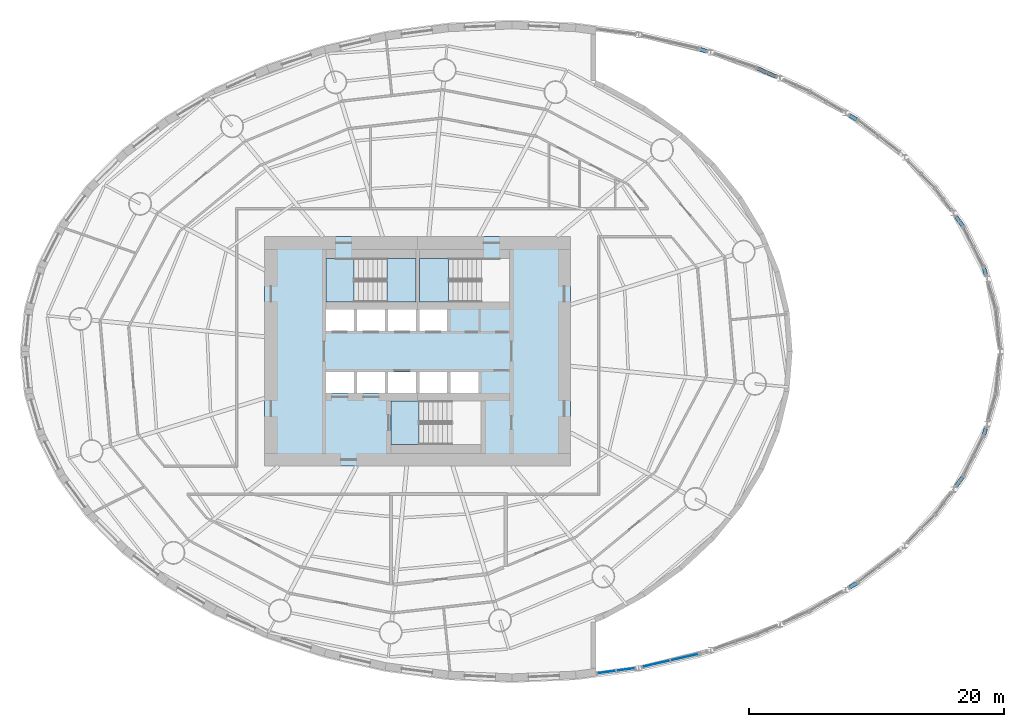
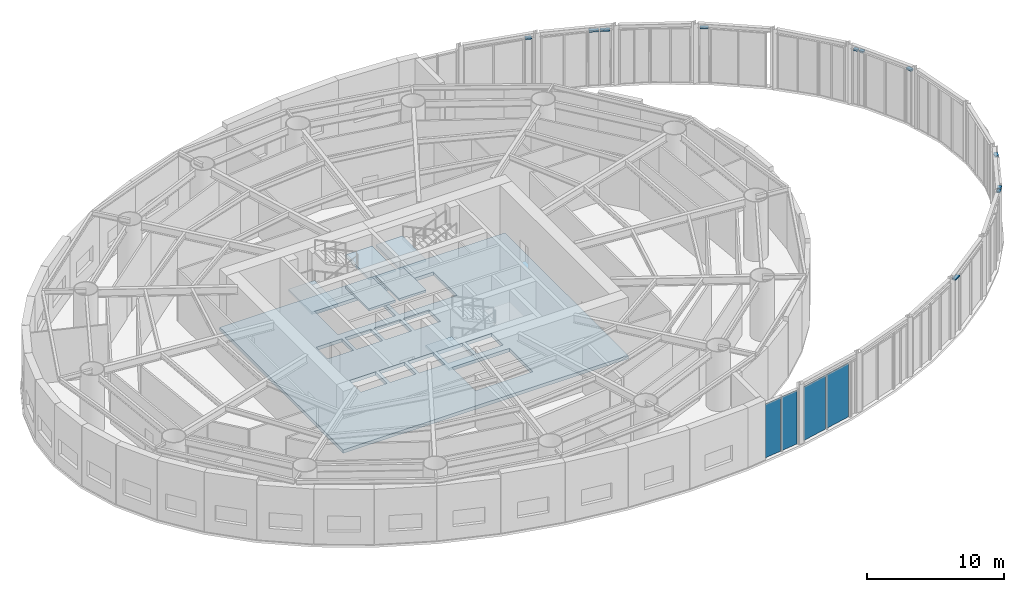
# One storey, part 9 of 19: 11 members, 7 slabs, 4 plates, 13 elements without a shape of their own.
"""IFC4 building model written with IfcOpenShell, lengths in metres."""

from ifc_helpers import new_model, si_unit, direction, frame, origin, origin_2d, place, context, subcontext, project, spatial, polyline, rectangle, outline, extrude, material, layer, layer_set, material_profile, profile_set, type_object, element, aggregate, save


model = new_model("IFC4")

# Units and contexts
model_context = context("Model", 3, precision=1e-05, world=origin(), true_north=direction((0.0, 1.0)))
body_context = subcontext(model_context, "Body", "Model", "MODEL_VIEW")
ifc_project = project(units=[si_unit("LENGTHUNIT", "METRE"), si_unit("AREAUNIT", "SQUARE_METRE"), si_unit("VOLUMEUNIT", "CUBIC_METRE"), si_unit("PLANEANGLEUNIT", "RADIAN"), si_unit("MASSUNIT", "GRAM", prefix="KILO")], contexts=[model_context])

# Site, building, storey
site_placement = place(None, origin())
site = spatial("IfcSite", under=ifc_project, at=site_placement, CompositionType="ELEMENT")
building_placement = place(site_placement, origin())
building = spatial("IfcBuilding", under=site, at=building_placement, Name="Vermilion Reach Broadcast Tower", CompositionType="ELEMENT")
storey_placement = place(building_placement, frame((0.0, 0.0, 26.0)))
storey = spatial("IfcBuildingStorey", under=building, at=storey_placement, Name="L03", CompositionType="ELEMENT", Elevation=26.0)

# Curtain wall, member
ifc_material_1 = material(Name="Low-e laminated clear glass in aluminium frame", Category="aluminium")
curtain_wall_type = type_object("IfcCurtainWallType", Name="Atrium outer wall curtain wall", PredefinedType="NOTDEFINED", material=ifc_material_1)
placement_1 = place(storey_placement, origin())
curtain_wall_1 = element("IfcCurtainWall", 1, at=placement_1, inside=storey, type_object=curtain_wall_type, Name="Atrium wall L03 05-2", PredefinedType="NOTDEFINED")
ifc_material_2 = material(Name="Anodised aluminium", Category="aluminium")
ifc_material_profile = material_profile(ifc_material_2, rectangle(XDim=0.300048828125, YDim=0.1201171875, at=origin_2d()), Name="Atrium outer wall transom 300 x 120")
ifc_profile_set = profile_set([ifc_material_profile], Name="Anodised aluminium")
member_type = type_object("IfcMemberType", Name="Atrium outer wall transom 300 x 120", PredefinedType="USERDEFINED", material=ifc_profile_set)
member_1_placement = place(storey_placement, frame((27.892822265625, -18.5107421875, 4.85009765625), z_axis=(0.860857815455, 0.508845577331, 0.0), x_axis=(-0.508845577331, 0.860857815455, 0.0)))
member_1 = element("IfcMember", 2, at=member_1_placement, type_object=member_type, Name="Atrium wall transom L03 05-2.1.2", ObjectType="TRANSOM", PredefinedType="USERDEFINED", context=body_context, shape_type="SweptSolid", body=[
    extrude(rectangle(XDim=0.300048828125, YDim=0.1201171875, at=origin_2d()), origin(), (0.0, 0.0, 1.0), 0.63671875),
])
aggregate(curtain_wall_1, [member_1])

# Curtain wall, members
curtain_wall_2 = element("IfcCurtainWall", 3, at=placement_1, inside=storey, type_object=curtain_wall_type, Name="Atrium wall L03 08-2", PredefinedType="NOTDEFINED")
member_2_placement = place(storey_placement, frame((36.255126953125, -10.5458984375, 4.85009765625), z_axis=(0.590584029438, 0.806976148454, 0.0), x_axis=(-0.806976148454, 0.590584029438, 0.0)))
member_2 = element("IfcMember", 4, at=member_2_placement, type_object=member_type, Name="Atrium wall transom L03 08-2.1.2", ObjectType="TRANSOM", PredefinedType="USERDEFINED", context=body_context, shape_type="SweptSolid", body=[
    extrude(rectangle(XDim=0.300048828125, YDim=0.1201171875, at=origin_2d()), origin(), (0.0, 0.0, 1.0), 0.36669921875),
])
member_3_placement = place(storey_placement, frame((36.53076171875, -10.169189453125, 4.85009765625), z_axis=(0.59101736398, 0.806658834622, 0.0), x_axis=(-0.806658834622, 0.59101736398, 0.0)))
member_3 = element("IfcMember", 5, at=member_3_placement, type_object=member_type, Name="Atrium wall transom L03 08-2.2.2", ObjectType="TRANSOM", PredefinedType="USERDEFINED", context=body_context, shape_type="SweptSolid", body=[
    extrude(rectangle(XDim=0.300048828125, YDim=0.1201171875, at=origin_2d()), origin(), (0.0, 0.0, 1.0), 0.36669921875),
])
aggregate(curtain_wall_2, [member_2, member_3])

# Curtain wall, member
curtain_wall_3 = element("IfcCurtainWall", 6, at=placement_1, inside=storey, type_object=curtain_wall_type, Name="Atrium wall L03 10-1", PredefinedType="NOTDEFINED")
member_4_placement = place(storey_placement, frame((38.434814453125, -6.5224609375, 4.85009765625), z_axis=(0.283208468401, 0.959058373315, 0.0), x_axis=(-0.959058373315, 0.283208468401, 0.0)))
member_4 = element("IfcMember", 7, at=member_4_placement, type_object=member_type, Name="Atrium wall transom L03 10-1.1.2", ObjectType="TRANSOM", PredefinedType="USERDEFINED", context=body_context, shape_type="SweptSolid", body=[
    extrude(rectangle(XDim=0.300048828125, YDim=0.1201171875, at=origin_2d()), origin(), (0.0, 0.0, 1.0), 0.48193359375),
])
aggregate(curtain_wall_3, [member_4])

curtain_wall_4 = element("IfcCurtainWall", 8, at=placement_1, inside=storey, type_object=curtain_wall_type, Name="Atrium wall L03 13-2", PredefinedType="NOTDEFINED")
member_5_placement = place(storey_placement, frame((38.5712890625, 6.060302734375, 4.85009765625), z_axis=(-0.283208468401, 0.959058373315, 0.0), x_axis=(-0.959058373315, -0.283208468401, 0.0)))
member_5 = element("IfcMember", 9, at=member_5_placement, type_object=member_type, Name="Atrium wall transom L03 13-2.1.2", ObjectType="TRANSOM", PredefinedType="USERDEFINED", context=body_context, shape_type="SweptSolid", body=[
    extrude(rectangle(XDim=0.300048828125, YDim=0.1201171875, at=origin_2d()), origin(), (0.0, 0.0, 1.0), 0.48193359375),
])
aggregate(curtain_wall_4, [member_5])

# Curtain wall, members
curtain_wall_5 = element("IfcCurtainWall", 10, at=placement_1, inside=storey, type_object=curtain_wall_type, Name="Atrium wall L03 15-1", PredefinedType="NOTDEFINED")
member_6_placement = place(storey_placement, frame((36.74755859375, 9.873291015625, 4.85009765625), z_axis=(-0.59101736398, 0.806658834622, 0.0), x_axis=(-0.806658834622, -0.59101736398, 0.0)))
member_6 = element("IfcMember", 11, at=member_6_placement, type_object=member_type, Name="Atrium wall transom L03 15-1.1.2", ObjectType="TRANSOM", PredefinedType="USERDEFINED", context=body_context, shape_type="SweptSolid", body=[
    extrude(rectangle(XDim=0.300048828125, YDim=0.1201171875, at=origin_2d()), origin(), (0.0, 0.0, 1.0), 0.36669921875),
])
member_7_placement = place(storey_placement, frame((36.4716796875, 10.25, 4.85009765625), z_axis=(-0.590584029438, 0.806976148454, 0.0), x_axis=(-0.806976148454, -0.590584029438, 0.0)))
member_7 = element("IfcMember", 12, at=member_7_placement, type_object=member_type, Name="Atrium wall transom L03 15-1.2.2", ObjectType="TRANSOM", PredefinedType="USERDEFINED", context=body_context, shape_type="SweptSolid", body=[
    extrude(rectangle(XDim=0.300048828125, YDim=0.1201171875, at=origin_2d()), origin(), (0.0, 0.0, 1.0), 0.36669921875),
])
aggregate(curtain_wall_5, [member_6, member_7])

# Curtain wall, member
curtain_wall_6 = element("IfcCurtainWall", 13, at=placement_1, inside=storey, type_object=curtain_wall_type, Name="Atrium wall L03 18-1", PredefinedType="NOTDEFINED")
member_8_placement = place(storey_placement, frame((28.44091796875, 18.186767578125, 4.85009765625), z_axis=(-0.860857815455, 0.508845577331, 0.0), x_axis=(-0.508845577331, -0.860857815455, 0.0)))
member_8 = element("IfcMember", 14, at=member_8_placement, type_object=member_type, Name="Atrium wall transom L03 18-1.1.2", ObjectType="TRANSOM", PredefinedType="USERDEFINED", context=body_context, shape_type="SweptSolid", body=[
    extrude(rectangle(XDim=0.300048828125, YDim=0.1201171875, at=origin_2d()), origin(), (0.0, 0.0, 1.0), 0.63671875),
])
aggregate(curtain_wall_6, [member_8])

# Curtain wall, members
curtain_wall_7 = element("IfcCurtainWall", 15, at=placement_1, inside=storey, type_object=curtain_wall_type, Name="Atrium wall L03 19-2", PredefinedType="NOTDEFINED")
member_9_placement = place(storey_placement, frame((22.09033203125, 21.5625, 4.85009765625), z_axis=(-0.911877215452, 0.410463084746, 0.0), x_axis=(-0.410463084746, -0.911877215452, 0.0)))
member_9 = element("IfcMember", 16, at=member_9_placement, type_object=member_type, Name="Atrium wall transom L03 19-2.1.2", ObjectType="TRANSOM", PredefinedType="USERDEFINED", context=body_context, shape_type="SweptSolid", body=[
    extrude(rectangle(XDim=0.300048828125, YDim=0.1201171875, at=origin_2d()), origin(), (0.0, 0.0, 1.0), 0.72216796875),
])
member_10_placement = place(storey_placement, frame((21.3408203125, 21.89990234375, 4.85009765625), z_axis=(-0.911946820137, 0.41030841722, 0.0), x_axis=(-0.41030841722, -0.911946820137, 0.0)))
member_10 = element("IfcMember", 17, at=member_10_placement, type_object=member_type, Name="Atrium wall transom L03 19-2.2.2", ObjectType="TRANSOM", PredefinedType="USERDEFINED", context=body_context, shape_type="SweptSolid", body=[
    extrude(rectangle(XDim=0.300048828125, YDim=0.1201171875, at=origin_2d()), origin(), (0.0, 0.0, 1.0), 0.7216796875),
])
aggregate(curtain_wall_7, [member_9, member_10])

# Curtain wall, member
curtain_wall_8 = element("IfcCurtainWall", 18, at=placement_1, inside=storey, type_object=curtain_wall_type, Name="Atrium wall L03 20-2", PredefinedType="NOTDEFINED")
member_11_placement = place(storey_placement, frame((16.629638671875, 23.552978515625, 4.85009765625), z_axis=(-0.948944103966, 0.315444270113, 0.0), x_axis=(-0.315444270113, -0.948944103966, 0.0)))
member_11 = element("IfcMember", 19, at=member_11_placement, type_object=member_type, Name="Atrium wall transom L03 20-2.1.2", ObjectType="TRANSOM", PredefinedType="USERDEFINED", context=body_context, shape_type="SweptSolid", body=[
    extrude(rectangle(XDim=0.300048828125, YDim=0.1201171875, at=origin_2d()), origin(), (0.0, 0.0, 1.0), 0.467529296875),
])
aggregate(curtain_wall_8, [member_11])

# Curtain wall, plates
curtain_wall_9 = element("IfcCurtainWall", 20, at=placement_1, inside=storey, type_object=curtain_wall_type, Name="Atrium wall L03 01", PredefinedType="NOTDEFINED")
ifc_material_3 = material(Name="Low-e laminated clear glass", Category="glass")
ifc_layer_1 = layer(ifc_material_3, 0.035888671875)
ifc_layer_set_1 = layer_set([ifc_layer_1], Name="Atrium outer wall glass panel")
plate_type = type_object("IfcPlateType", Name="Atrium outer wall glass panel", PredefinedType="CURTAIN_PANEL", material=ifc_layer_set_1)
plate_1_placement = place(storey_placement, frame((8.81591796875, -25.15673828125, 0.0), z_axis=(0.0, 0.0, 1.0), x_axis=(0.991143697753, 0.132793713723, 0.0)))
plate_1 = element("IfcPlate", 21, at=plate_1_placement, type_object=plate_type, Name="Atrium wall glass panel L03 01.1.1", PredefinedType="CURTAIN_PANEL", context=body_context, shape_type="SweptSolid", body=[
    extrude(rectangle(XDim=1.419921875, YDim=0.035888671875, at=origin_2d()), origin(), (0.0, 0.0, 1.0), 4.7900390625),
])
plate_2_placement = place(storey_placement, frame((10.322265625, -24.954833984375, 0.0), z_axis=(0.0, 0.0, 1.0), x_axis=(0.991143697753, 0.132793713723, 0.0)))
plate_2 = element("IfcPlate", 22, at=plate_2_placement, type_object=plate_type, Name="Atrium wall glass panel L03 01.2.1", PredefinedType="CURTAIN_PANEL", context=body_context, shape_type="SweptSolid", body=[
    extrude(rectangle(XDim=1.419921875, YDim=0.035888671875, at=origin_2d()), origin(), (0.0, 0.0, 1.0), 4.7900390625),
])
aggregate(curtain_wall_9, [plate_1, plate_2])

curtain_wall_10 = element("IfcCurtainWall", 23, at=placement_1, inside=storey, type_object=curtain_wall_type, Name="Atrium wall L03 02", PredefinedType="NOTDEFINED")
plate_3_placement = place(storey_placement, frame((12.70654296875, -24.505859375, 0.0), z_axis=(0.0, 0.0, 1.0), x_axis=(0.974843253478, 0.222891523278, 0.0)))
plate_3 = element("IfcPlate", 24, at=plate_3_placement, type_object=plate_type, Name="Atrium wall glass panel L03 02.1.1", PredefinedType="CURTAIN_PANEL", context=body_context, shape_type="SweptSolid", body=[
    extrude(rectangle(XDim=2.18115234375, YDim=0.035888671875, at=origin_2d()), origin(), (0.0, 0.0, 1.0), 4.7900390625),
])
plate_4_placement = place(storey_placement, frame((14.930419921875, -23.997314453125, 0.0), z_axis=(0.0, 0.0, 1.0), x_axis=(0.974843253478, 0.222891523278, 0.0)))
plate_4 = element("IfcPlate", 25, at=plate_4_placement, type_object=plate_type, Name="Atrium wall glass panel L03 02.2.1", PredefinedType="CURTAIN_PANEL", context=body_context, shape_type="SweptSolid", body=[
    extrude(rectangle(XDim=2.18115234375, YDim=0.035888671875, at=origin_2d()), origin(), (0.0, 0.0, 1.0), 4.7900390625),
])
aggregate(curtain_wall_10, [plate_3, plate_4])

# Slab
ifc_material_4 = material(Name="Concrete C40", Category="concrete")
ifc_layer_2 = layer(ifc_material_4, 0.300048828125)
ifc_layer_set_2 = layer_set([ifc_layer_2], Name="Core floor slab 300 mm Concrete C40")
slab_type_1 = type_object("IfcSlabType", Name="Core floor slab 300 mm Concrete C40", PredefinedType="FLOOR", material=ifc_layer_set_2)
slab_1_placement = place(storey_placement, frame((0.0, 0.0, -0.300048828125)))
element("IfcSlab", 26, at=slab_1_placement, inside=storey, type_object=slab_type_1, Name="L03 core floor", PredefinedType="FLOOR", context=body_context, shape_type="SweptSolid", body=[
    extrude(outline(polyline([(-18.0, -9.0), (6.0, -9.0), (6.0, 9.0), (-18.0, 9.0), (-18.0, -9.0)]), holes=[polyline([(-13.199951171875, 1.60009765625), (-11.00830078125, 1.60009765625), (-11.00830078125, 3.280029296875), (-13.199951171875, 3.280029296875), (-13.199951171875, 1.60009765625)]), polyline([(-10.75830078125, 1.60009765625), (-8.566650390625, 1.60009765625), (-8.566650390625, 3.280029296875), (-10.75830078125, 3.280029296875), (-10.75830078125, 1.60009765625)]), polyline([(-8.316650390625, 1.60009765625), (-6.125, 1.60009765625), (-6.125, 3.280029296875), (-8.316650390625, 3.280029296875), (-8.316650390625, 1.60009765625)]), polyline([(-5.875, 1.60009765625), (-3.683349609375, 1.60009765625), (-3.683349609375, 3.280029296875), (-5.875, 3.280029296875), (-5.875, 1.60009765625)]), polyline([(-13.199951171875, -3.280029296875), (-11.00830078125, -3.280029296875), (-11.00830078125, -1.60009765625), (-13.199951171875, -1.60009765625), (-13.199951171875, -3.280029296875)]), polyline([(-10.75830078125, -3.280029296875), (-8.566650390625, -3.280029296875), (-8.566650390625, -1.60009765625), (-10.75830078125, -1.60009765625), (-10.75830078125, -3.280029296875)]), polyline([(-8.316650390625, -3.280029296875), (-6.125, -3.280029296875), (-6.125, -1.60009765625), (-8.316650390625, -1.60009765625), (-8.316650390625, -3.280029296875)]), polyline([(-5.875, -3.280029296875), (-3.683349609375, -3.280029296875), (-3.683349609375, -1.60009765625), (-5.875, -1.60009765625), (-5.875, -3.280029296875)]), polyline([(-3.433349609375, -3.280029296875), (-1.24169921875, -3.280029296875), (-1.24169921875, -1.60009765625), (-3.433349609375, -1.60009765625), (-3.433349609375, -3.280029296875)]), polyline([(-10.999267578125, 3.8798828125), (-6.14990234375, 3.8798828125), (-6.14990234375, 7.300048828125), (-10.999267578125, 7.300048828125), (-10.999267578125, 3.8798828125)]), polyline([(-1.000732421875, 7.300048828125), (-5.85009765625, 7.300048828125), (-5.85009765625, 3.8798828125), (-1.000732421875, 3.8798828125), (-1.000732421875, 7.300048828125)]), polyline([(-5.8994140625, -7.300048828125), (-1.050048828125, -7.300048828125), (-1.050048828125, -3.8798828125), (-5.8994140625, -3.8798828125), (-5.8994140625, -7.300048828125)])]), origin(), (0.0, 0.0, 1.0), 0.300048828125),
])

# Stair, slabs
ifc_material_5 = material(Name="Concrete C40", Category="concrete")
stair_type = type_object("IfcStairType", Name="Exit stair RC 32 risers 172 mm", PredefinedType="HALF_TURN_STAIR", material=ifc_material_5)
stair_1 = element("IfcStair", 27, at=placement_1, inside=storey, type_object=stair_type, Name="L03 Exit stair ST1", PredefinedType="HALF_TURN_STAIR")
ifc_material_6 = material(Name="Concrete C40", Category="concrete")
ifc_layer_3 = layer(ifc_material_6, 0.199951171875)
ifc_layer_set_3 = layer_set([ifc_layer_3], Name="Exit stair landing Concrete C40")
slab_type_2 = type_object("IfcSlabType", Name="Exit stair landing Concrete C40", PredefinedType="LANDING", material=ifc_layer_set_3)
placement_2 = place(storey_placement, frame((0.0, 0.0, 1.175048828125)))
slab_2 = element("IfcSlab", 28, at=placement_2, type_object=slab_type_2, Name="ST1 landing 1", PredefinedType="LANDING", context=body_context, shape_type="SweptSolid", body=[
    extrude(outline(polyline([(-8.409912109375, 3.8798828125), (-6.14990234375, 3.8798828125), (-6.14990234375, 7.300048828125), (-8.409912109375, 7.300048828125), (-8.409912109375, 3.8798828125)])), origin(), (0.0, 0.0, 1.0), 0.199951171875),
])
placement_3 = place(storey_placement, frame((0.0, 0.0, 2.550048828125)))
slab_3 = element("IfcSlab", 29, at=placement_3, type_object=slab_type_2, Name="ST1 landing 2", PredefinedType="LANDING", context=body_context, shape_type="SweptSolid", body=[
    extrude(outline(polyline([(-13.199951171875, 3.8798828125), (-11.0, 3.8798828125), (-11.0, 7.300048828125), (-13.199951171875, 7.300048828125), (-13.199951171875, 3.8798828125)])), origin(), (0.0, 0.0, 1.0), 0.199951171875),
])
placement_4 = place(storey_placement, frame((0.0, 0.0, 3.925048828125)))
slab_4 = element("IfcSlab", 30, at=placement_4, type_object=slab_type_2, Name="ST1 landing 3", PredefinedType="LANDING", context=body_context, shape_type="SweptSolid", body=[
    extrude(outline(polyline([(-8.409912109375, 3.8798828125), (-6.14990234375, 3.8798828125), (-6.14990234375, 7.300048828125), (-8.409912109375, 7.300048828125), (-8.409912109375, 3.8798828125)])), origin(), (0.0, 0.0, 1.0), 0.199951171875),
])
aggregate(stair_1, [slab_2, slab_3, slab_4])

stair_2 = element("IfcStair", 31, at=placement_1, inside=storey, type_object=stair_type, Name="L03 Exit stair ST2", PredefinedType="HALF_TURN_STAIR")
slab_5 = element("IfcSlab", 32, at=placement_2, type_object=slab_type_2, Name="ST2 landing 1", PredefinedType="LANDING", context=body_context, shape_type="SweptSolid", body=[
    extrude(outline(polyline([(-3.590087890625, 7.300048828125), (-5.85009765625, 7.300048828125), (-5.85009765625, 3.8798828125), (-3.590087890625, 3.8798828125), (-3.590087890625, 7.300048828125)])), origin(), (0.0, 0.0, 1.0), 0.199951171875),
])
slab_6 = element("IfcSlab", 33, at=placement_4, type_object=slab_type_2, Name="ST2 landing 3", PredefinedType="LANDING", context=body_context, shape_type="SweptSolid", body=[
    extrude(outline(polyline([(-3.590087890625, 7.300048828125), (-5.85009765625, 7.300048828125), (-5.85009765625, 3.8798828125), (-3.590087890625, 3.8798828125), (-3.590087890625, 7.300048828125)])), origin(), (0.0, 0.0, 1.0), 0.199951171875),
])
aggregate(stair_2, [slab_5, slab_6])

# Stair, slab
stair_3 = element("IfcStair", 34, at=placement_1, inside=storey, type_object=stair_type, Name="L03 Exit stair ST3", PredefinedType="HALF_TURN_STAIR")
slab_7 = element("IfcSlab", 35, at=placement_3, type_object=slab_type_2, Name="ST3 landing 2", PredefinedType="LANDING", context=body_context, shape_type="SweptSolid", body=[
    extrude(outline(polyline([(-8.10009765625, -7.300048828125), (-5.89990234375, -7.300048828125), (-5.89990234375, -3.8798828125), (-8.10009765625, -3.8798828125), (-8.10009765625, -7.300048828125)])), origin(), (0.0, 0.0, 1.0), 0.199951171875),
])
aggregate(stair_3, [slab_7])

save(model, "model.ifc")
